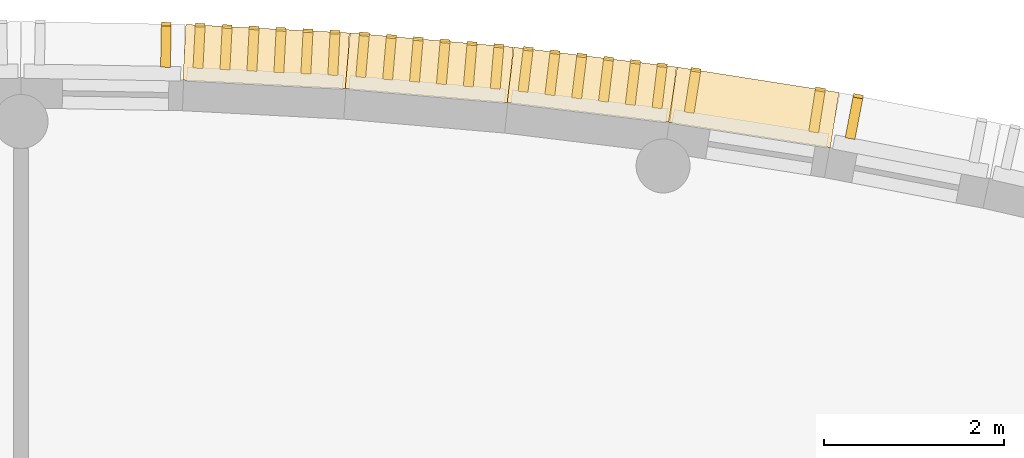
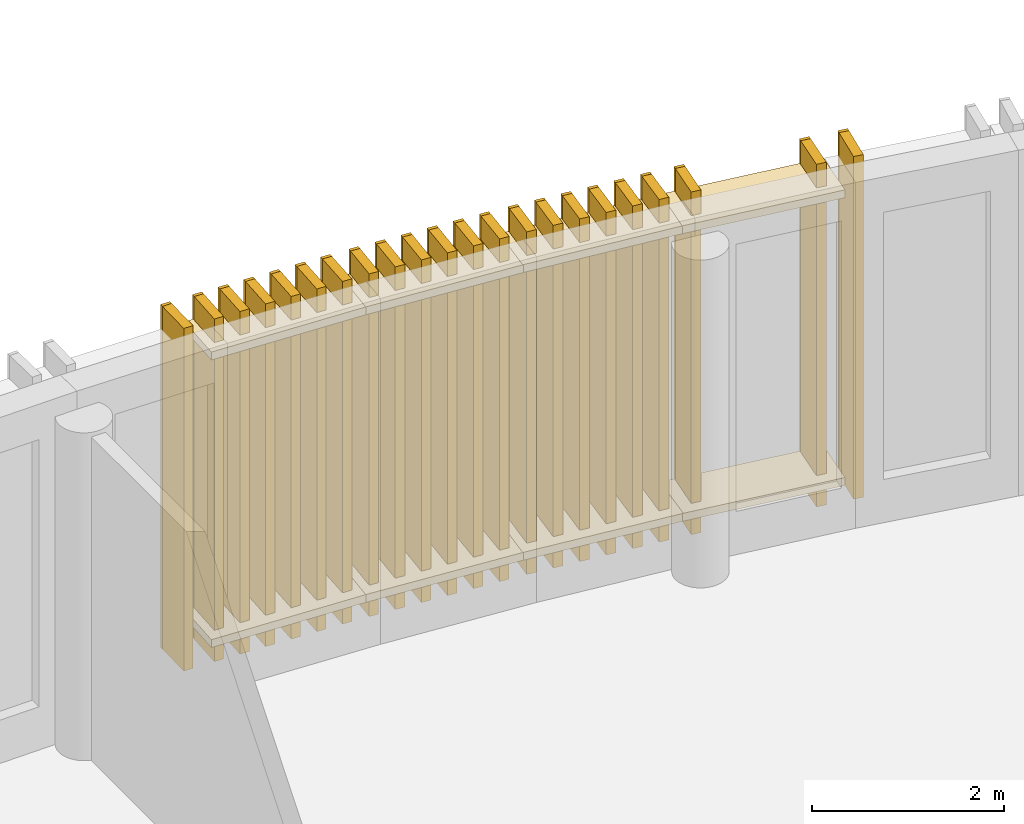
# One storey, part 67 of 71: 30 coverings, 22 shading devices.
"""IFC4 building model written with IfcOpenShell, lengths in metres."""

from ifc_helpers import new_model, si_unit, direction, frame, origin, origin_2d, place, context, subcontext, project, spatial, rectangle, extrude, material, layer, layer_set, type_object, element, save


model = new_model("IFC4")

# Units and contexts
model_context = context("Model", 3, precision=1e-05, world=origin(), true_north=direction((0.0, 1.0)))
body_context = subcontext(model_context, "Body", "Model", "MODEL_VIEW")
ifc_project = project(units=[si_unit("LENGTHUNIT", "METRE"), si_unit("AREAUNIT", "SQUARE_METRE"), si_unit("VOLUMEUNIT", "CUBIC_METRE"), si_unit("PLANEANGLEUNIT", "RADIAN"), si_unit("MASSUNIT", "GRAM", prefix="KILO")], contexts=[model_context])

# Site, building, storey
site_placement = place(None, origin())
site = spatial("IfcSite", under=ifc_project, at=site_placement, CompositionType="ELEMENT")
building_placement = place(site_placement, origin())
building = spatial("IfcBuilding", under=site, at=building_placement, Name="Sardonyx Promenade Sports Hall", CompositionType="ELEMENT")
storey_placement = place(building_placement, frame((0.0, 0.0, 16.0)))
storey = spatial("IfcBuildingStorey", under=building, at=storey_placement, Name="L03", CompositionType="ELEMENT", Elevation=16.0)

# Coverings
ifc_material_1 = material(Name="Glulam GL28h", Category="wood")
ifc_layer = layer(ifc_material_1, 0.110107421875)
ifc_layer_set = layer_set([ifc_layer], Name="Cov_Louvre_GL28h")
covering_type = type_object("IfcCoveringType", Name="Cov_Louvre_GL28h", PredefinedType="MOLDING", material=ifc_layer_set)
covering_placement = place(storey_placement, frame((55.613525390625, 115.962158203125, 0.02001953125), z_axis=(0.0, 0.0, 1.0), x_axis=(0.999850212862, -0.01730756599, 0.0)))
element("IfcCovering", 1, at=covering_placement, inside=storey, type_object=covering_type, Name="Timber louvre nose molding L03 CH15 #2", PredefinedType="MOLDING", context=body_context, shape_type="SweptSolid", body=[
    extrude(rectangle(XDim=0.110107421875, YDim=0.0400390625, at=origin_2d()), origin(), (0.0, 0.0, 1.0), 4.360107421875),
])
for number, where, z_axis, x_axis, name in (
    (2, (56.723388671875, 115.6015625, 0.320068359375), (0.0, 0.0, 1.0), (0.998652184976, -0.051901959917, 0.0), "Bowed louvre carrier rail L03 CH16 #1"),
    (3, (56.723388671875, 115.6015625, 3.97998046875), (0.0, 0.0, 1.0), (0.998652184976, -0.051901959917, 0.0), "Bowed louvre carrier rail L03 CH16 #2"),
):
    element("IfcCovering", number, at=place(storey_placement, frame(where, z_axis=z_axis, x_axis=x_axis)), inside=storey, type_object=covering_type, Name=name, PredefinedType="MOLDING", context=body_context, shape_type="SweptSolid", body=[
        extrude(rectangle(XDim=1.820068359375, YDim=0.6201171875, at=origin_2d()), origin(), (0.0, 0.0, 1.0), 0.10009765625),
    ])
for number, where, z_axis, x_axis, name in (
    (4, (55.990478515625, 115.949951171875, 0.02001953125), (0.0, 0.0, 1.0), (0.998652184976, -0.051901959917, 0.0), "Timber louvre nose molding L03 CH16 #1"),
    (5, (56.2900390625, 115.934326171875, 0.02001953125), (0.0, 0.0, 1.0), (0.998652184976, -0.051901959917, 0.0), "Timber louvre nose molding L03 CH16 #2"),
    (6, (56.58984375, 115.9189453125, 0.02001953125), (0.0, 0.0, 1.0), (0.998652184976, -0.051901959917, 0.0), "Timber louvre nose molding L03 CH16 #3"),
    (7, (56.889404296875, 115.9033203125, 0.02001953125), (0.0, 0.0, 1.0), (0.998652184976, -0.051901959917, 0.0), "Timber louvre nose molding L03 CH16 #4"),
    (8, (57.18896484375, 115.8876953125, 0.02001953125), (0.0, 0.0, 1.0), (0.998652184976, -0.051901959917, 0.0), "Timber louvre nose molding L03 CH16 #5"),
    (9, (57.488525390625, 115.8720703125, 0.02001953125), (0.0, 0.0, 1.0), (0.998652184976, -0.051901959917, 0.0), "Timber louvre nose molding L03 CH16 #6"),
):
    element("IfcCovering", number, at=place(storey_placement, frame(where, z_axis=z_axis, x_axis=x_axis)), inside=storey, type_object=covering_type, Name=name, PredefinedType="MOLDING", context=body_context, shape_type="SweptSolid", body=[
        extrude(rectangle(XDim=0.110107421875, YDim=0.0400390625, at=origin_2d()), origin(), (0.0, 0.0, 1.0), 4.360107421875),
    ])
for number, where, z_axis, x_axis, name in (
    (10, (58.535400390625, 115.475830078125, 0.320068359375), (0.0, 0.0, 1.0), (0.99625756469, -0.086434164533, 0.0), "Bowed louvre carrier rail L03 CH17 #1"),
    (11, (58.535400390625, 115.475830078125, 3.97998046875), (0.0, 0.0, 1.0), (0.99625756469, -0.086434164533, 0.0), "Bowed louvre carrier rail L03 CH17 #2"),
):
    element("IfcCovering", number, at=place(storey_placement, frame(where, z_axis=z_axis, x_axis=x_axis)), inside=storey, type_object=covering_type, Name=name, PredefinedType="MOLDING", context=body_context, shape_type="SweptSolid", body=[
        extrude(rectangle(XDim=1.820068359375, YDim=0.6201171875, at=origin_2d()), origin(), (0.0, 0.0, 1.0), 0.10009765625),
    ])
for number, where, z_axis, x_axis, name in (
    (12, (57.81494140625, 115.849609375, 0.02001953125), (0.0, 0.0, 1.0), (0.99625756469, -0.086434164533, 0.0), "Timber louvre nose molding L03 CH17 #1"),
    (13, (58.114013671875, 115.823486328125, 0.02001953125), (0.0, 0.0, 1.0), (0.99625756469, -0.086434164533, 0.0), "Timber louvre nose molding L03 CH17 #2"),
    (14, (58.412841796875, 115.797607421875, 0.02001953125), (0.0, 0.0, 1.0), (0.99625756469, -0.086434164533, 0.0), "Timber louvre nose molding L03 CH17 #3"),
    (15, (58.711669921875, 115.771728515625, 0.02001953125), (0.0, 0.0, 1.0), (0.99625756469, -0.086434164533, 0.0), "Timber louvre nose molding L03 CH17 #4"),
    (16, (59.010498046875, 115.745849609375, 0.02001953125), (0.0, 0.0, 1.0), (0.99625756469, -0.086434164533, 0.0), "Timber louvre nose molding L03 CH17 #5"),
    (17, (59.309326171875, 115.7197265625, 0.02001953125), (0.0, 0.0, 1.0), (0.99625756469, -0.086434164533, 0.0), "Timber louvre nose molding L03 CH17 #6"),
):
    element("IfcCovering", number, at=place(storey_placement, frame(where, z_axis=z_axis, x_axis=x_axis)), inside=storey, type_object=covering_type, Name=name, PredefinedType="MOLDING", context=body_context, shape_type="SweptSolid", body=[
        extrude(rectangle(XDim=0.110107421875, YDim=0.0400390625, at=origin_2d()), origin(), (0.0, 0.0, 1.0), 4.360107421875),
    ])
for number, where, z_axis, x_axis, name in (
    (18, (60.342041015625, 115.28759765625, 0.320068359375), (0.0, 0.0, 1.0), (0.992669221255, -0.120862803098, 0.0), "Bowed louvre carrier rail L03 CH18 #1"),
    (19, (60.342041015625, 115.28759765625, 3.97998046875), (0.0, 0.0, 1.0), (0.992669221255, -0.120862803098, 0.0), "Bowed louvre carrier rail L03 CH18 #2"),
):
    element("IfcCovering", number, at=place(storey_placement, frame(where, z_axis=z_axis, x_axis=x_axis)), inside=storey, type_object=covering_type, Name=name, PredefinedType="MOLDING", context=body_context, shape_type="SweptSolid", body=[
        extrude(rectangle(XDim=1.820068359375, YDim=0.6201171875, at=origin_2d()), origin(), (0.0, 0.0, 1.0), 0.10009765625),
    ])
for number, where, z_axis, x_axis, name in (
    (20, (59.635009765625, 115.68603515625, 0.02001953125), (0.0, 0.0, 1.0), (0.992669221255, -0.120862803098, 0.0), "Timber louvre nose molding L03 CH18 #1"),
    (21, (59.932861328125, 115.649658203125, 0.02001953125), (0.0, 0.0, 1.0), (0.992669221255, -0.120862803098, 0.0), "Timber louvre nose molding L03 CH18 #2"),
    (22, (60.23046875, 115.61328125, 0.02001953125), (0.0, 0.0, 1.0), (0.992669221255, -0.120862803098, 0.0), "Timber louvre nose molding L03 CH18 #3"),
    (23, (60.5283203125, 115.5771484375, 0.02001953125), (0.0, 0.0, 1.0), (0.992669221255, -0.120862803098, 0.0), "Timber louvre nose molding L03 CH18 #4"),
    (24, (60.826171875, 115.540771484375, 0.02001953125), (0.0, 0.0, 1.0), (0.992669221255, -0.120862803098, 0.0), "Timber louvre nose molding L03 CH18 #5"),
    (25, (61.1240234375, 115.504638671875, 0.02001953125), (0.0, 0.0, 1.0), (0.992669221255, -0.120862803098, 0.0), "Timber louvre nose molding L03 CH18 #6"),
):
    element("IfcCovering", number, at=place(storey_placement, frame(where, z_axis=z_axis, x_axis=x_axis)), inside=storey, type_object=covering_type, Name=name, PredefinedType="MOLDING", context=body_context, shape_type="SweptSolid", body=[
        extrude(rectangle(XDim=0.110107421875, YDim=0.0400390625, at=origin_2d()), origin(), (0.0, 0.0, 1.0), 4.360107421875),
    ])
for number, where, z_axis, x_axis, name in (
    (26, (62.140869140625, 115.036865234375, 0.320068359375), (0.0, 0.0, 1.0), (0.987891183468, -0.155148347157, 0.0), "Bowed louvre carrier rail L03 CH19 #1"),
    (27, (62.140869140625, 115.036865234375, 3.97998046875), (0.0, 0.0, 1.0), (0.987891183468, -0.155148347157, 0.0), "Bowed louvre carrier rail L03 CH19 #2"),
):
    element("IfcCovering", number, at=place(storey_placement, frame(where, z_axis=z_axis, x_axis=x_axis)), inside=storey, type_object=covering_type, Name=name, PredefinedType="MOLDING", context=body_context, shape_type="SweptSolid", body=[
        extrude(rectangle(XDim=1.820068359375, YDim=0.6201171875, at=origin_2d()), origin(), (0.0, 0.0, 1.0), 0.10009765625),
    ])
for number, where, z_axis, x_axis, name in (
    (28, (61.49755859375, 115.45166015625, 0.02001953125), (0.0, 0.0, 1.0), (0.987891183468, -0.155148347157, 0.0), "Timber louvre nose molding L03 CH19 #1"),
    (29, (62.880615234375, 115.234375, 0.02001953125), (0.0, 0.0, 1.0), (0.987891183468, -0.155148347157, 0.0), "Timber louvre nose molding L03 CH19 #2"),
    (30, (63.301513671875, 115.160888671875, 0.02001953125), (0.0, 0.0, 1.0), (0.981929658139, -0.18924625879, 0.0), "Timber louvre nose molding L03 CH20 #1"),
):
    element("IfcCovering", number, at=place(storey_placement, frame(where, z_axis=z_axis, x_axis=x_axis)), inside=storey, type_object=covering_type, Name=name, PredefinedType="MOLDING", context=body_context, shape_type="SweptSolid", body=[
        extrude(rectangle(XDim=0.110107421875, YDim=0.0400390625, at=origin_2d()), origin(), (0.0, 0.0, 1.0), 4.360107421875),
    ])

# Shading devices
ifc_material_2 = material(Name="Glulam GL28h", Category="wood")
shading_device_type_1 = type_object("IfcShadingDeviceType", Name="Shade_Fin_GL28h", PredefinedType="USERDEFINED", material=ifc_material_2)
for number, where, z_axis, x_axis, name in (
    (31, (55.609107, 115.712227, 0.02), (0.0, 0.0, 1.0), (0.99985021, -0.01730757, 0.0), "Timber fin TF01 L03 CH15 #2"),
    (32, (61.45873, 115.204717, 0.02), (0.0, 0.0, 1.0), (0.98789118, -0.15514835, 0.0), "Timber fin TF01 L03 CH19 #1"),
    (33, (62.841778, 114.98751, 0.02), (0.0, 0.0, 1.0), (0.98789118, -0.15514835, 0.0), "Timber fin TF01 L03 CH19 #2"),
    (34, (63.254156, 114.915412, 0.02), (0.0, 0.0, 1.0), (0.98192966, -0.18924626, 0.0), "Timber fin TF01 L03 CH20 #1"),
):
    element("IfcShadingDevice", number, at=place(storey_placement, frame(where, z_axis=z_axis, x_axis=x_axis)), inside=storey, type_object=shading_device_type_1, material=ifc_material_2, Name=name, ObjectType="FIN", PredefinedType="USERDEFINED", context=body_context, shape_type="SweptSolid", body=[
        extrude(rectangle(XDim=0.11, YDim=0.46), origin(), (0.0, 0.0, 1.0), 4.36),
    ])
shading_device_type_2 = type_object("IfcShadingDeviceType", Name="Shade_Louvre_GL28h", PredefinedType="USERDEFINED", material=ifc_material_2)
for number, where, z_axis, x_axis, name in (
    (35, (55.977555, 115.700333, 0.02), (0.0, 0.0, 1.0), (0.99865218, -0.05190196, 0.0), "Timber louvre TL01 L03 CH16 #1"),
    (36, (56.277151, 115.684762, 0.02), (0.0, 0.0, 1.0), (0.99865218, -0.05190196, 0.0), "Timber louvre TL01 L03 CH16 #2"),
    (37, (56.576746, 115.669192, 0.02), (0.0, 0.0, 1.0), (0.99865218, -0.05190196, 0.0), "Timber louvre TL01 L03 CH16 #3"),
    (38, (56.876342, 115.653621, 0.02), (0.0, 0.0, 1.0), (0.99865218, -0.05190196, 0.0), "Timber louvre TL01 L03 CH16 #4"),
    (39, (57.175938, 115.63805, 0.02), (0.0, 0.0, 1.0), (0.99865218, -0.05190196, 0.0), "Timber louvre TL01 L03 CH16 #5"),
    (40, (57.475533, 115.62248, 0.02), (0.0, 0.0, 1.0), (0.99865218, -0.05190196, 0.0), "Timber louvre TL01 L03 CH16 #6"),
    (41, (57.793418, 115.600436, 0.02), (0.0, 0.0, 1.0), (0.99625756, -0.08643416, 0.0), "Timber louvre TL01 L03 CH17 #1"),
    (42, (58.092295, 115.574505, 0.02), (0.0, 0.0, 1.0), (0.99625756, -0.08643416, 0.0), "Timber louvre TL01 L03 CH17 #2"),
    (43, (58.391172, 115.548575, 0.02), (0.0, 0.0, 1.0), (0.99625756, -0.08643416, 0.0), "Timber louvre TL01 L03 CH17 #3"),
    (44, (58.690049, 115.522644, 0.02), (0.0, 0.0, 1.0), (0.99625756, -0.08643416, 0.0), "Timber louvre TL01 L03 CH17 #4"),
    (45, (58.988927, 115.496714, 0.02), (0.0, 0.0, 1.0), (0.99625756, -0.08643416, 0.0), "Timber louvre TL01 L03 CH17 #5"),
    (46, (59.287804, 115.470783, 0.02), (0.0, 0.0, 1.0), (0.99625756, -0.08643416, 0.0), "Timber louvre TL01 L03 CH17 #6"),
    (47, (59.604735, 115.437751, 0.02), (0.0, 0.0, 1.0), (0.99266922, -0.1208628, 0.0), "Timber louvre TL01 L03 CH18 #1"),
    (48, (59.902535, 115.401492, 0.02), (0.0, 0.0, 1.0), (0.99266922, -0.1208628, 0.0), "Timber louvre TL01 L03 CH18 #2"),
    (49, (60.200336, 115.365233, 0.02), (0.0, 0.0, 1.0), (0.99266922, -0.1208628, 0.0), "Timber louvre TL01 L03 CH18 #3"),
    (50, (60.498137, 115.328974, 0.02), (0.0, 0.0, 1.0), (0.99266922, -0.1208628, 0.0), "Timber louvre TL01 L03 CH18 #4"),
    (51, (60.795938, 115.292715, 0.02), (0.0, 0.0, 1.0), (0.99266922, -0.1208628, 0.0), "Timber louvre TL01 L03 CH18 #5"),
    (52, (61.093738, 115.256456, 0.02), (0.0, 0.0, 1.0), (0.99266922, -0.1208628, 0.0), "Timber louvre TL01 L03 CH18 #6"),
):
    element("IfcShadingDevice", number, at=place(storey_placement, frame(where, z_axis=z_axis, x_axis=x_axis)), inside=storey, type_object=shading_device_type_2, material=ifc_material_2, Name=name, ObjectType="LOUVRE", PredefinedType="USERDEFINED", context=body_context, shape_type="SweptSolid", body=[
        extrude(rectangle(XDim=0.11, YDim=0.46), origin(), (0.0, 0.0, 1.0), 4.36),
    ])

save(model, "model.ifc")
